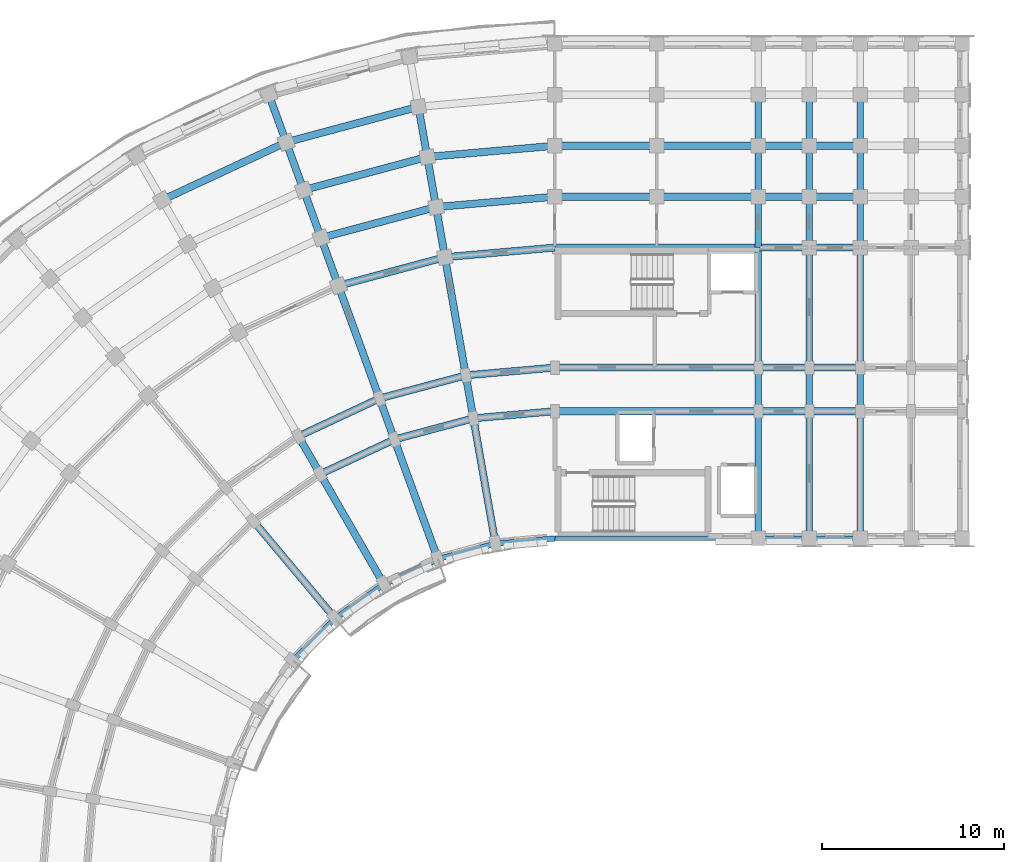
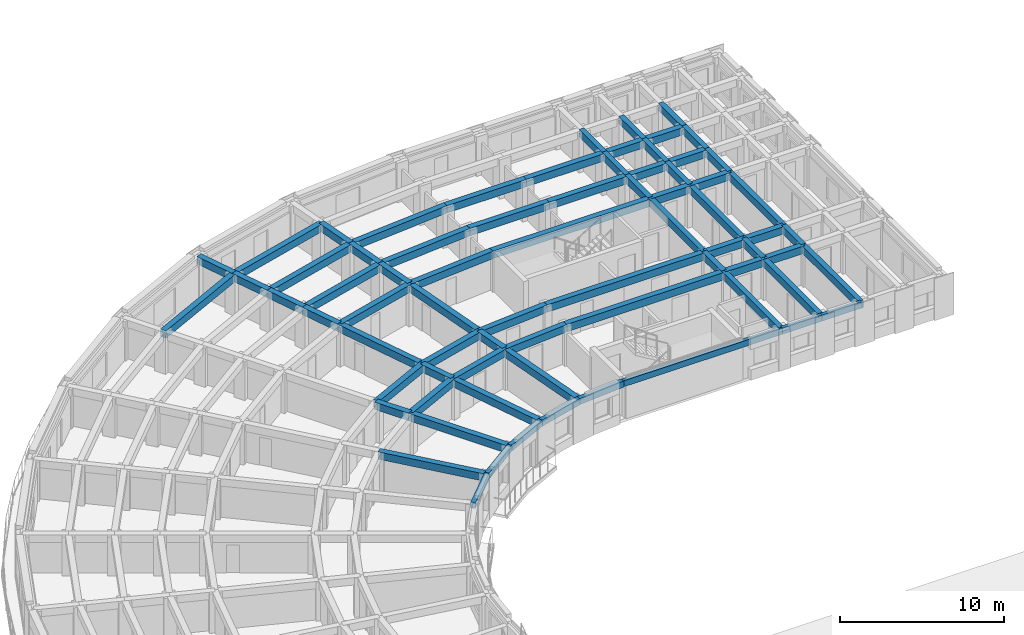
# One storey, part 19 of 76: 73 beams.
"""IFC4 building model written with IfcOpenShell, lengths in metres."""

from ifc_helpers import new_model, si_unit, direction, frame, origin, origin_2d, place, context, subcontext, project, spatial, rectangle, extrude, material, material_profile, profile_set, type_object, element, save


model = new_model("IFC4")

# Units and contexts
model_context = context("Model", 3, precision=1e-05, world=origin(), true_north=direction((0.0, 1.0)))
body_context = subcontext(model_context, "Body", "Model", "MODEL_VIEW")
ifc_project = project(units=[si_unit("LENGTHUNIT", "METRE"), si_unit("AREAUNIT", "SQUARE_METRE"), si_unit("VOLUMEUNIT", "CUBIC_METRE"), si_unit("PLANEANGLEUNIT", "RADIAN"), si_unit("MASSUNIT", "GRAM", prefix="KILO")], contexts=[model_context])

# Site, building, storey
site_placement = place(None, origin())
site = spatial("IfcSite", under=ifc_project, at=site_placement, CompositionType="ELEMENT")
building_placement = place(site_placement, origin())
building = spatial("IfcBuilding", under=site, at=building_placement, Name="Kiranvali Square Residences", CompositionType="ELEMENT")
storey_placement = place(building_placement, frame((0.0, 0.0, 8.699951171875)))
storey = spatial("IfcBuildingStorey", under=building, at=storey_placement, Name="L02", CompositionType="ELEMENT", Elevation=8.699951171875)

# Beams
ifc_material_1 = material(Name="Concrete M40 (40 MPa)", Category="concrete")
ifc_material_profile_1 = material_profile(ifc_material_1, rectangle(XDim=0.35009765625, YDim=0.550048828125, at=origin_2d()), Name="RC 350x550")
ifc_profile_set_1 = profile_set([ifc_material_profile_1], Name="Concrete M40 (40 MPa)")
beam_type_1 = type_object("IfcBeamType", Name="BM-M40-350x550", PredefinedType="BEAM", material=ifc_profile_set_1)
beam_1_placement = place(storey_placement, frame((59.39990234375, 106.60009765625, 2.655029296875), z_axis=(0.0, 1.0, 0.0), x_axis=(-1.0, 0.0, 0.0)))
element("IfcBeam", 1, at=beam_1_placement, inside=storey, type_object=beam_type_1, Name="L02 beam BM-A-L02-A1T1-01", PredefinedType="BEAM", context=body_context, shape_type="SweptSolid", body=[
    extrude(rectangle(XDim=0.35009765625, YDim=0.550048828125, at=origin_2d()), origin(), (0.0, 0.0, 1.0), 7.0),
])
beam_2_placement = place(storey_placement, frame((59.39990234375, 113.60009765625, 2.655029296875), z_axis=(0.0, 1.0, 0.0), x_axis=(-1.0, 0.0, 0.0)))
element("IfcBeam", 2, at=beam_2_placement, inside=storey, type_object=beam_type_1, Name="L02 beam BM-A-L02-A1T1-12", PredefinedType="BEAM", context=body_context, shape_type="SweptSolid", body=[
    extrude(rectangle(XDim=0.35009765625, YDim=0.550048828125, at=origin_2d()), origin(), (0.0, 0.0, 1.0), 2.39990234375),
])
beam_3_placement = place(storey_placement, frame((59.39990234375, 116.0, 2.655029296875), z_axis=(0.0, 1.0, 0.0), x_axis=(-1.0, 0.0, 0.0)))
element("IfcBeam", 3, at=beam_3_placement, inside=storey, type_object=beam_type_1, Name="L02 beam BM-A-L02-A1T1-23", PredefinedType="BEAM", context=body_context, shape_type="SweptSolid", body=[
    extrude(rectangle(XDim=0.35009765625, YDim=0.550048828125, at=origin_2d()), origin(), (0.0, 0.0, 1.0), 6.60009765625),
])
beam_4_placement = place(storey_placement, frame((59.39990234375, 122.60009765625, 2.655029296875), z_axis=(0.0, 1.0, 0.0), x_axis=(-1.0, 0.0, 0.0)))
element("IfcBeam", 4, at=beam_4_placement, inside=storey, type_object=beam_type_1, Name="L02 beam BM-A-L02-A1T1-34", PredefinedType="BEAM", context=body_context, shape_type="SweptSolid", body=[
    extrude(rectangle(XDim=0.35009765625, YDim=0.550048828125, at=origin_2d()), origin(), (0.0, 0.0, 1.0), 2.7998046875),
])
for number, where, z_axis, x_axis, name in (
    (5, (59.39990234375, 125.39990234375, 2.655029296875), (0.0, 1.0, 0.0), (-1.0, 0.0, 0.0), "L02 beam BM-A-L02-A1T1-45"),
    (6, (59.39990234375, 128.199951171875, 2.655029296875), (0.0, 1.0, 0.0), (-1.0, 0.0, 0.0), "L02 beam BM-A-L02-A1T1-56"),
):
    element("IfcBeam", number, at=place(storey_placement, frame(where, z_axis=z_axis, x_axis=x_axis)), inside=storey, type_object=beam_type_1, Name=name, PredefinedType="BEAM", context=body_context, shape_type="SweptSolid", body=[
        extrude(rectangle(XDim=0.35009765625, YDim=0.550048828125, at=origin_2d()), origin(), (0.0, 0.0, 1.0), 2.800048828125),
    ])
beam_5_placement = place(storey_placement, frame((62.199951171875, 106.60009765625, 2.655029296875), z_axis=(0.0, 1.0, 0.0), x_axis=(-1.0, 0.0, 0.0)))
element("IfcBeam", 7, at=beam_5_placement, inside=storey, type_object=beam_type_1, Name="L02 beam BM-A-L02-A1T2-01", PredefinedType="BEAM", context=body_context, shape_type="SweptSolid", body=[
    extrude(rectangle(XDim=0.35009765625, YDim=0.550048828125, at=origin_2d()), origin(), (0.0, 0.0, 1.0), 7.0),
])
beam_6_placement = place(storey_placement, frame((62.199951171875, 113.60009765625, 2.655029296875), z_axis=(0.0, 1.0, 0.0), x_axis=(-1.0, 0.0, 0.0)))
element("IfcBeam", 8, at=beam_6_placement, inside=storey, type_object=beam_type_1, Name="L02 beam BM-A-L02-A1T2-12", PredefinedType="BEAM", context=body_context, shape_type="SweptSolid", body=[
    extrude(rectangle(XDim=0.35009765625, YDim=0.550048828125, at=origin_2d()), origin(), (0.0, 0.0, 1.0), 2.39990234375),
])
beam_7_placement = place(storey_placement, frame((62.199951171875, 116.0, 2.655029296875), z_axis=(0.0, 1.0, 0.0), x_axis=(-1.0, 0.0, 0.0)))
element("IfcBeam", 9, at=beam_7_placement, inside=storey, type_object=beam_type_1, Name="L02 beam BM-A-L02-A1T2-23", PredefinedType="BEAM", context=body_context, shape_type="SweptSolid", body=[
    extrude(rectangle(XDim=0.35009765625, YDim=0.550048828125, at=origin_2d()), origin(), (0.0, 0.0, 1.0), 6.60009765625),
])
beam_8_placement = place(storey_placement, frame((62.199951171875, 122.60009765625, 2.655029296875), z_axis=(0.0, 1.0, 0.0), x_axis=(-1.0, 0.0, 0.0)))
element("IfcBeam", 10, at=beam_8_placement, inside=storey, type_object=beam_type_1, Name="L02 beam BM-A-L02-A1T2-34", PredefinedType="BEAM", context=body_context, shape_type="SweptSolid", body=[
    extrude(rectangle(XDim=0.35009765625, YDim=0.550048828125, at=origin_2d()), origin(), (0.0, 0.0, 1.0), 2.7998046875),
])
for number, where, z_axis, x_axis, name in (
    (11, (62.199951171875, 125.39990234375, 2.655029296875), (0.0, 1.0, 0.0), (-1.0, 0.0, 0.0), "L02 beam BM-A-L02-A1T2-45"),
    (12, (62.199951171875, 128.199951171875, 2.655029296875), (0.0, 1.0, 0.0), (-1.0, 0.0, 0.0), "L02 beam BM-A-L02-A1T2-56"),
):
    element("IfcBeam", number, at=place(storey_placement, frame(where, z_axis=z_axis, x_axis=x_axis)), inside=storey, type_object=beam_type_1, Name=name, PredefinedType="BEAM", context=body_context, shape_type="SweptSolid", body=[
        extrude(rectangle(XDim=0.35009765625, YDim=0.550048828125, at=origin_2d()), origin(), (0.0, 0.0, 1.0), 2.800048828125),
    ])
beam_9_placement = place(storey_placement, frame((65.0, 106.60009765625, 2.655029296875), z_axis=(0.0, 1.0, 0.0), x_axis=(-1.0, 0.0, 0.0)))
element("IfcBeam", 13, at=beam_9_placement, inside=storey, type_object=beam_type_1, Name="L02 beam BM-A-L02-A1T3-01", PredefinedType="BEAM", context=body_context, shape_type="SweptSolid", body=[
    extrude(rectangle(XDim=0.35009765625, YDim=0.550048828125, at=origin_2d()), origin(), (0.0, 0.0, 1.0), 7.0),
])
beam_10_placement = place(storey_placement, frame((65.0, 113.60009765625, 2.655029296875), z_axis=(0.0, 1.0, 0.0), x_axis=(-1.0, 0.0, 0.0)))
element("IfcBeam", 14, at=beam_10_placement, inside=storey, type_object=beam_type_1, Name="L02 beam BM-A-L02-A1T3-12", PredefinedType="BEAM", context=body_context, shape_type="SweptSolid", body=[
    extrude(rectangle(XDim=0.35009765625, YDim=0.550048828125, at=origin_2d()), origin(), (0.0, 0.0, 1.0), 2.39990234375),
])
beam_11_placement = place(storey_placement, frame((65.0, 116.0, 2.655029296875), z_axis=(0.0, 1.0, 0.0), x_axis=(-1.0, 0.0, 0.0)))
element("IfcBeam", 15, at=beam_11_placement, inside=storey, type_object=beam_type_1, Name="L02 beam BM-A-L02-A1T3-23", PredefinedType="BEAM", context=body_context, shape_type="SweptSolid", body=[
    extrude(rectangle(XDim=0.35009765625, YDim=0.550048828125, at=origin_2d()), origin(), (0.0, 0.0, 1.0), 6.60009765625),
])
beam_12_placement = place(storey_placement, frame((65.0, 122.60009765625, 2.655029296875), z_axis=(0.0, 1.0, 0.0), x_axis=(-1.0, 0.0, 0.0)))
element("IfcBeam", 16, at=beam_12_placement, inside=storey, type_object=beam_type_1, Name="L02 beam BM-A-L02-A1T3-34", PredefinedType="BEAM", context=body_context, shape_type="SweptSolid", body=[
    extrude(rectangle(XDim=0.35009765625, YDim=0.550048828125, at=origin_2d()), origin(), (0.0, 0.0, 1.0), 2.7998046875),
])
for number, where, z_axis, x_axis, name in (
    (17, (65.0, 125.39990234375, 2.655029296875), (0.0, 1.0, 0.0), (-1.0, 0.0, 0.0), "L02 beam BM-A-L02-A1T3-45"),
    (18, (65.0, 128.199951171875, 2.655029296875), (0.0, 1.0, 0.0), (-1.0, 0.0, 0.0), "L02 beam BM-A-L02-A1T3-56"),
):
    element("IfcBeam", number, at=place(storey_placement, frame(where, z_axis=z_axis, x_axis=x_axis)), inside=storey, type_object=beam_type_1, Name=name, PredefinedType="BEAM", context=body_context, shape_type="SweptSolid", body=[
        extrude(rectangle(XDim=0.35009765625, YDim=0.550048828125, at=origin_2d()), origin(), (0.0, 0.0, 1.0), 2.800048828125),
    ])
ifc_material_2 = material(Name="Concrete M45 (45 MPa)", Category="concrete")
ifc_material_profile_2 = material_profile(ifc_material_2, rectangle(XDim=0.39990234375, YDim=0.550048828125, at=origin_2d()), Name="RC 400x550")
ifc_profile_set_2 = profile_set([ifc_material_profile_2], Name="Concrete M45 (45 MPa)")
beam_type_2 = type_object("IfcBeamType", Name="BM-M45-400x550", PredefinedType="BEAM", material=ifc_profile_set_2)
beam_13_placement = place(storey_placement, frame((48.199951171875, 113.60009765625, 2.655029296875), z_axis=(-0.996191949488, -0.087187153726, 0.0), x_axis=(0.087187153726, -0.996191949488, 0.0)))
element("IfcBeam", 19, at=beam_13_placement, inside=storey, type_object=beam_type_2, Name="L02 beam BM-A-L02-C00-R1", PredefinedType="BEAM", context=body_context, shape_type="SweptSolid", body=[
    extrude(rectangle(XDim=0.39990234375, YDim=0.550048828125, at=origin_2d()), origin(), (0.0, 0.0, 1.0), 4.4970703125),
])
beam_14_placement = place(storey_placement, frame((48.199951171875, 116.0, 2.655029296875), z_axis=(-0.996193663584, -0.087167566415, 0.0), x_axis=(0.087167566415, -0.996193663584, 0.0)))
element("IfcBeam", 20, at=beam_14_placement, inside=storey, type_object=beam_type_2, Name="L02 beam BM-A-L02-C00-R2", PredefinedType="BEAM", context=body_context, shape_type="SweptSolid", body=[
    extrude(rectangle(XDim=0.39990234375, YDim=0.550048828125, at=origin_2d()), origin(), (0.0, 0.0, 1.0), 4.91552734375),
])
beam_15_placement = place(storey_placement, frame((48.199951171875, 122.60009765625, 2.655029296875), z_axis=(-0.996193018494, -0.087174938512, 0.0), x_axis=(0.087174938512, -0.996193018494, 0.0)))
element("IfcBeam", 21, at=beam_15_placement, inside=storey, type_object=beam_type_2, Name="L02 beam BM-A-L02-C00-R3", PredefinedType="BEAM", context=body_context, shape_type="SweptSolid", body=[
    extrude(rectangle(XDim=0.39990234375, YDim=0.550048828125, at=origin_2d()), origin(), (0.0, 0.0, 1.0), 6.066162109375),
])
beam_16_placement = place(storey_placement, frame((48.199951171875, 125.39990234375, 2.655029296875), z_axis=(-0.996196991902, -0.0871295204, 0.0), x_axis=(0.0871295204, -0.996196991902, 0.0)))
element("IfcBeam", 22, at=beam_16_placement, inside=storey, type_object=beam_type_2, Name="L02 beam BM-A-L02-C00-R4", PredefinedType="BEAM", context=body_context, shape_type="SweptSolid", body=[
    extrude(rectangle(XDim=0.39990234375, YDim=0.550048828125, at=origin_2d()), origin(), (0.0, 0.0, 1.0), 6.553955078125),
])
beam_17_placement = place(storey_placement, frame((48.199951171875, 128.199951171875, 2.655029296875), z_axis=(-0.996194658198, -0.087156198737, 0.0), x_axis=(0.087156198737, -0.996194658198, 0.0)))
element("IfcBeam", 23, at=beam_17_placement, inside=storey, type_object=beam_type_2, Name="L02 beam BM-A-L02-C00-R5", PredefinedType="BEAM", context=body_context, shape_type="SweptSolid", body=[
    extrude(rectangle(XDim=0.39990234375, YDim=0.550048828125, at=origin_2d()), origin(), (0.0, 0.0, 1.0), 7.042236328125),
])
beam_18_placement = place(storey_placement, frame((43.719970703125, 113.2080078125, 2.655029296875), z_axis=(-0.965934240054, -0.258787642463, 0.0), x_axis=(0.258787642463, -0.965934240054, 0.0)))
element("IfcBeam", 24, at=beam_18_placement, inside=storey, type_object=beam_type_2, Name="L02 beam BM-A-L02-C01-R1", PredefinedType="BEAM", context=body_context, shape_type="SweptSolid", body=[
    extrude(rectangle(XDim=0.39990234375, YDim=0.550048828125, at=origin_2d()), origin(), (0.0, 0.0, 1.0), 4.497314453125),
])
beam_19_placement = place(storey_placement, frame((43.30322265625, 115.571533203125, 2.655029296875), z_axis=(-0.965930095386, -0.258803112091, 0.0), x_axis=(0.258803112091, -0.965930095386, 0.0)))
element("IfcBeam", 25, at=beam_19_placement, inside=storey, type_object=beam_type_2, Name="L02 beam BM-A-L02-C01-R2", PredefinedType="BEAM", context=body_context, shape_type="SweptSolid", body=[
    extrude(rectangle(XDim=0.39990234375, YDim=0.550048828125, at=origin_2d()), origin(), (0.0, 0.0, 1.0), 4.915771484375),
])
beam_20_placement = place(storey_placement, frame((42.156982421875, 122.0712890625, 2.655029296875), z_axis=(-0.965923618901, -0.258827283048, 0.0), x_axis=(0.258827283048, -0.965923618901, 0.0)))
element("IfcBeam", 26, at=beam_20_placement, inside=storey, type_object=beam_type_2, Name="L02 beam BM-A-L02-C01-R3", PredefinedType="BEAM", context=body_context, shape_type="SweptSolid", body=[
    extrude(rectangle(XDim=0.39990234375, YDim=0.550048828125, at=origin_2d()), origin(), (0.0, 0.0, 1.0), 6.066162109375),
])
beam_21_placement = place(storey_placement, frame((41.6708984375, 124.828857421875, 2.655029296875), z_axis=(-0.965918287583, -0.258847178297, 0.0), x_axis=(0.258847178297, -0.965918287583, 0.0)))
element("IfcBeam", 27, at=beam_21_placement, inside=storey, type_object=beam_type_2, Name="L02 beam BM-A-L02-C01-R4", PredefinedType="BEAM", context=body_context, shape_type="SweptSolid", body=[
    extrude(rectangle(XDim=0.39990234375, YDim=0.550048828125, at=origin_2d()), origin(), (0.0, 0.0, 1.0), 6.55419921875),
])
beam_22_placement = place(storey_placement, frame((41.1845703125, 127.586181640625, 2.655029296875), z_axis=(-0.965931029817, -0.258799624492, 0.0), x_axis=(0.258799624492, -0.965931029817, 0.0)))
element("IfcBeam", 28, at=beam_22_placement, inside=storey, type_object=beam_type_2, Name="L02 beam BM-A-L02-C01-R5", PredefinedType="BEAM", context=body_context, shape_type="SweptSolid", body=[
    extrude(rectangle(XDim=0.39990234375, YDim=0.550048828125, at=origin_2d()), origin(), (0.0, 0.0, 1.0), 7.042236328125),
])
beam_23_placement = place(storey_placement, frame((40.698486328125, 130.34375, 2.655029296875), z_axis=(-0.965925909693, -0.258818733833, 0.0), x_axis=(0.258818733833, -0.965925909693, 0.0)))
element("IfcBeam", 29, at=beam_23_placement, inside=storey, type_object=beam_type_2, Name="L02 beam BM-A-L02-C01-R6", PredefinedType="BEAM", context=body_context, shape_type="SweptSolid", body=[
    extrude(rectangle(XDim=0.39990234375, YDim=0.550048828125, at=origin_2d()), origin(), (0.0, 0.0, 1.0), 7.5302734375),
])
beam_24_placement = place(storey_placement, frame((39.3759765625, 112.044189453125, 2.655029296875), z_axis=(-0.906307919131, -0.422617978463, 0.0), x_axis=(0.422617978463, -0.906307919131, 0.0)))
element("IfcBeam", 30, at=beam_24_placement, inside=storey, type_object=beam_type_2, Name="L02 beam BM-A-L02-C02-R1", PredefinedType="BEAM", context=body_context, shape_type="SweptSolid", body=[
    extrude(rectangle(XDim=0.39990234375, YDim=0.550048828125, at=origin_2d()), origin(), (0.0, 0.0, 1.0), 4.497314453125),
])
beam_25_placement = place(storey_placement, frame((38.554931640625, 114.29931640625, 2.655029296875), z_axis=(-0.906302381024, -0.422629854778, 0.0), x_axis=(0.422629854778, -0.906302381024, 0.0)))
element("IfcBeam", 31, at=beam_25_placement, inside=storey, type_object=beam_type_2, Name="L02 beam BM-A-L02-C02-R2", PredefinedType="BEAM", context=body_context, shape_type="SweptSolid", body=[
    extrude(rectangle(XDim=0.39990234375, YDim=0.550048828125, at=origin_2d()), origin(), (0.0, 0.0, 1.0), 4.915283203125),
])
beam_26_placement = place(storey_placement, frame((33.4248046875, 128.394775390625, 2.655029296875), z_axis=(-0.90630982703, -0.422613886933, 0.0), x_axis=(0.422613886933, -0.90630982703, 0.0)))
element("IfcBeam", 32, at=beam_26_placement, inside=storey, type_object=beam_type_2, Name="L02 beam BM-A-L02-C02-R6", PredefinedType="BEAM", context=body_context, shape_type="SweptSolid", body=[
    extrude(rectangle(XDim=0.39990234375, YDim=0.550048828125, at=origin_2d()), origin(), (0.0, 0.0, 1.0), 7.5302734375),
])
beam_27_placement = place(storey_placement, frame((44.935302734375, 106.314453125, 2.655029296875), z_axis=(-0.173622177865, 0.984812337125, 0.0), x_axis=(-0.984812337125, -0.173622177865, 0.0)))
element("IfcBeam", 33, at=beam_27_placement, inside=storey, type_object=beam_type_2, Name="L02 beam BM-A-L02-RAD01-01", PredefinedType="BEAM", context=body_context, shape_type="SweptSolid", body=[
    extrude(rectangle(XDim=0.39990234375, YDim=0.550048828125, at=origin_2d()), origin(), (0.0, 0.0, 1.0), 6.999755859375),
])
beam_28_placement = place(storey_placement, frame((43.719970703125, 113.2080078125, 2.655029296875), z_axis=(-0.173646056486, 0.984808127031, 0.0), x_axis=(-0.984808127031, -0.173646056486, 0.0)))
element("IfcBeam", 34, at=beam_28_placement, inside=storey, type_object=beam_type_2, Name="L02 beam BM-A-L02-RAD01-12", PredefinedType="BEAM", context=body_context, shape_type="SweptSolid", body=[
    extrude(rectangle(XDim=0.39990234375, YDim=0.550048828125, at=origin_2d()), origin(), (0.0, 0.0, 1.0), 2.39990234375),
])
beam_29_placement = place(storey_placement, frame((43.30322265625, 115.571533203125, 2.655029296875), z_axis=(-0.173671381499, 0.984803661269, 0.0), x_axis=(-0.984803661269, -0.173671381499, 0.0)))
element("IfcBeam", 35, at=beam_29_placement, inside=storey, type_object=beam_type_2, Name="L02 beam BM-A-L02-RAD01-23", PredefinedType="BEAM", context=body_context, shape_type="SweptSolid", body=[
    extrude(rectangle(XDim=0.39990234375, YDim=0.550048828125, at=origin_2d()), origin(), (0.0, 0.0, 1.0), 6.60009765625),
])
beam_30_placement = place(storey_placement, frame((42.156982421875, 122.0712890625, 2.655029296875), z_axis=(-0.173596320392, 0.984816895441, 0.0), x_axis=(-0.984816895441, -0.173596320392, 0.0)))
element("IfcBeam", 36, at=beam_30_placement, inside=storey, type_object=beam_type_2, Name="L02 beam BM-A-L02-RAD01-34", PredefinedType="BEAM", context=body_context, shape_type="SweptSolid", body=[
    extrude(rectangle(XDim=0.39990234375, YDim=0.550048828125, at=origin_2d()), origin(), (0.0, 0.0, 1.0), 2.800048828125),
])
beam_31_placement = place(storey_placement, frame((41.6708984375, 124.828857421875, 2.655029296875), z_axis=(-0.173695795656, 0.984799355489, 0.0), x_axis=(-0.984799355489, -0.173695795656, 0.0)))
element("IfcBeam", 37, at=beam_31_placement, inside=storey, type_object=beam_type_2, Name="L02 beam BM-A-L02-RAD01-45", PredefinedType="BEAM", context=body_context, shape_type="SweptSolid", body=[
    extrude(rectangle(XDim=0.39990234375, YDim=0.550048828125, at=origin_2d()), origin(), (0.0, 0.0, 1.0), 2.7998046875),
])
beam_32_placement = place(storey_placement, frame((41.1845703125, 127.586181640625, 2.655029296875), z_axis=(-0.173596320392, 0.984816895441, 0.0), x_axis=(-0.984816895441, -0.173596320392, 0.0)))
element("IfcBeam", 38, at=beam_32_placement, inside=storey, type_object=beam_type_2, Name="L02 beam BM-A-L02-RAD01-56", PredefinedType="BEAM", context=body_context, shape_type="SweptSolid", body=[
    extrude(rectangle(XDim=0.39990234375, YDim=0.550048828125, at=origin_2d()), origin(), (0.0, 0.0, 1.0), 2.800048828125),
])
beam_33_placement = place(storey_placement, frame((41.77001953125, 105.46630859375, 2.655029296875), z_axis=(-0.342006283793, 0.939697665127, 0.0), x_axis=(-0.939697665127, -0.342006283793, 0.0)))
element("IfcBeam", 39, at=beam_33_placement, inside=storey, type_object=beam_type_2, Name="L02 beam BM-A-L02-RAD02-01", PredefinedType="BEAM", context=body_context, shape_type="SweptSolid", body=[
    extrude(rectangle(XDim=0.39990234375, YDim=0.550048828125, at=origin_2d()), origin(), (0.0, 0.0, 1.0), 7.0),
])
beam_34_placement = place(storey_placement, frame((39.3759765625, 112.044189453125, 2.655029296875), z_axis=(-0.342110593602, 0.939659694648, 0.0), x_axis=(-0.939659694648, -0.342110593602, 0.0)))
element("IfcBeam", 40, at=beam_34_placement, inside=storey, type_object=beam_type_2, Name="L02 beam BM-A-L02-RAD02-12", PredefinedType="BEAM", context=body_context, shape_type="SweptSolid", body=[
    extrude(rectangle(XDim=0.39990234375, YDim=0.550048828125, at=origin_2d()), origin(), (0.0, 0.0, 1.0), 2.39990234375),
])
beam_35_placement = place(storey_placement, frame((38.554931640625, 114.29931640625, 2.655029296875), z_axis=(-0.342022238372, 0.939691858249, 0.0), x_axis=(-0.939691858249, -0.342022238372, 0.0)))
element("IfcBeam", 41, at=beam_35_placement, inside=storey, type_object=beam_type_2, Name="L02 beam BM-A-L02-RAD02-23", PredefinedType="BEAM", context=body_context, shape_type="SweptSolid", body=[
    extrude(rectangle(XDim=0.39990234375, YDim=0.550048828125, at=origin_2d()), origin(), (0.0, 0.0, 1.0), 6.599853515625),
])
beam_36_placement = place(storey_placement, frame((36.297607421875, 120.501220703125, 2.655029296875), z_axis=(-0.341981089711, 0.93970683422, 0.0), x_axis=(-0.93970683422, -0.341981089711, 0.0)))
element("IfcBeam", 42, at=beam_36_placement, inside=storey, type_object=beam_type_2, Name="L02 beam BM-A-L02-RAD02-34", PredefinedType="BEAM", context=body_context, shape_type="SweptSolid", body=[
    extrude(rectangle(XDim=0.39990234375, YDim=0.550048828125, at=origin_2d()), origin(), (0.0, 0.0, 1.0), 2.7998046875),
])
beam_37_placement = place(storey_placement, frame((35.340087890625, 123.13232421875, 2.655029296875), z_axis=(-0.342030060398, 0.939689011208, 0.0), x_axis=(-0.939689011208, -0.342030060398, 0.0)))
element("IfcBeam", 43, at=beam_37_placement, inside=storey, type_object=beam_type_2, Name="L02 beam BM-A-L02-RAD02-45", PredefinedType="BEAM", context=body_context, shape_type="SweptSolid", body=[
    extrude(rectangle(XDim=0.39990234375, YDim=0.550048828125, at=origin_2d()), origin(), (0.0, 0.0, 1.0), 2.80029296875),
])
beam_38_placement = place(storey_placement, frame((34.38232421875, 125.763671875, 2.655029296875), z_axis=(-0.341981089711, 0.93970683422, 0.0), x_axis=(-0.93970683422, -0.341981089711, 0.0)))
element("IfcBeam", 44, at=beam_38_placement, inside=storey, type_object=beam_type_2, Name="L02 beam BM-A-L02-RAD02-56", PredefinedType="BEAM", context=body_context, shape_type="SweptSolid", body=[
    extrude(rectangle(XDim=0.39990234375, YDim=0.550048828125, at=origin_2d()), origin(), (0.0, 0.0, 1.0), 2.7998046875),
])
beam_39_placement = place(storey_placement, frame((33.4248046875, 128.394775390625, 2.655029296875), z_axis=(-0.342058084236, 0.939678810556, 0.0), x_axis=(-0.939678810556, -0.342058084236, 0.0)))
element("IfcBeam", 45, at=beam_39_placement, inside=storey, type_object=beam_type_2, Name="L02 beam BM-A-L02-RAD02-67", PredefinedType="BEAM", context=body_context, shape_type="SweptSolid", body=[
    extrude(rectangle(XDim=0.39990234375, YDim=0.550048828125, at=origin_2d()), origin(), (0.0, 0.0, 1.0), 2.800048828125),
])
beam_40_placement = place(storey_placement, frame((38.800048828125, 104.081298828125, 2.655029296875), z_axis=(-0.499995173006, 0.866028190633, 0.0), x_axis=(-0.866028190633, -0.499995173006, 0.0)))
element("IfcBeam", 46, at=beam_40_placement, inside=storey, type_object=beam_type_2, Name="L02 beam BM-A-L02-RAD03-01", PredefinedType="BEAM", context=body_context, shape_type="SweptSolid", body=[
    extrude(rectangle(XDim=0.39990234375, YDim=0.550048828125, at=origin_2d()), origin(), (0.0, 0.0, 1.0), 7.0),
])
beam_41_placement = place(storey_placement, frame((35.300048828125, 110.1435546875, 2.655029296875), z_axis=(-0.500001309137, 0.866024647952, 0.0), x_axis=(-0.866024647952, -0.500001309137, 0.0)))
element("IfcBeam", 47, at=beam_41_placement, inside=storey, type_object=beam_type_2, Name="L02 beam BM-A-L02-RAD03-12", PredefinedType="BEAM", context=body_context, shape_type="SweptSolid", body=[
    extrude(rectangle(XDim=0.39990234375, YDim=0.550048828125, at=origin_2d()), origin(), (0.0, 0.0, 1.0), 2.39990234375),
])
beam_42_placement = place(storey_placement, frame((36.115478515625, 102.20166015625, 2.655029296875), z_axis=(-0.642787931032, 0.766044173478, 0.0), x_axis=(-0.766044173478, -0.642787931032, 0.0)))
element("IfcBeam", 48, at=beam_42_placement, inside=storey, type_object=beam_type_2, Name="L02 beam BM-A-L02-RAD04-01", PredefinedType="BEAM", context=body_context, shape_type="SweptSolid", body=[
    extrude(rectangle(XDim=0.39990234375, YDim=0.550048828125, at=origin_2d()), origin(), (0.0, 0.0, 1.0), 7.0),
])
beam_43_placement = place(storey_placement, frame((48.199951171875, 113.60009765625, 2.655029296875), z_axis=(1.0, 0.0, 0.0), x_axis=(0.0, 1.0, 0.0)))
element("IfcBeam", 49, at=beam_43_placement, inside=storey, type_object=beam_type_2, Name="L02 beam BM-A-L02-A1U0-R1", PredefinedType="BEAM", context=body_context, shape_type="SweptSolid", body=[
    extrude(rectangle(XDim=0.39990234375, YDim=0.550048828125, at=origin_2d()), origin(), (0.0, 0.0, 1.0), 11.199951171875),
])
for number, where, z_axis, x_axis, name in (
    (50, (59.39990234375, 113.60009765625, 2.655029296875), (1.0, 0.0, 0.0), (0.0, 1.0, 0.0), "L02 beam BM-A-L02-A1U1-R1"),
    (51, (62.199951171875, 113.60009765625, 2.655029296875), (1.0, 0.0, 0.0), (0.0, 1.0, 0.0), "L02 beam BM-A-L02-A1U2-R1"),
):
    element("IfcBeam", number, at=place(storey_placement, frame(where, z_axis=z_axis, x_axis=x_axis)), inside=storey, type_object=beam_type_2, Name=name, PredefinedType="BEAM", context=body_context, shape_type="SweptSolid", body=[
        extrude(rectangle(XDim=0.39990234375, YDim=0.550048828125, at=origin_2d()), origin(), (0.0, 0.0, 1.0), 2.800048828125),
    ])
beam_44_placement = place(storey_placement, frame((48.199951171875, 116.0, 2.655029296875), z_axis=(1.0, 0.0, 0.0), x_axis=(0.0, 1.0, 0.0)))
element("IfcBeam", 52, at=beam_44_placement, inside=storey, type_object=beam_type_2, Name="L02 beam BM-A-L02-A1U0-R2", PredefinedType="BEAM", context=body_context, shape_type="SweptSolid", body=[
    extrude(rectangle(XDim=0.39990234375, YDim=0.550048828125, at=origin_2d()), origin(), (0.0, 0.0, 1.0), 11.199951171875),
])
for number, where, z_axis, x_axis, name in (
    (53, (59.39990234375, 116.0, 2.655029296875), (1.0, 0.0, 0.0), (0.0, 1.0, 0.0), "L02 beam BM-A-L02-A1U1-R2"),
    (54, (62.199951171875, 116.0, 2.655029296875), (1.0, 0.0, 0.0), (0.0, 1.0, 0.0), "L02 beam BM-A-L02-A1U2-R2"),
):
    element("IfcBeam", number, at=place(storey_placement, frame(where, z_axis=z_axis, x_axis=x_axis)), inside=storey, type_object=beam_type_2, Name=name, PredefinedType="BEAM", context=body_context, shape_type="SweptSolid", body=[
        extrude(rectangle(XDim=0.39990234375, YDim=0.550048828125, at=origin_2d()), origin(), (0.0, 0.0, 1.0), 2.800048828125),
    ])
beam_45_placement = place(storey_placement, frame((48.199951171875, 122.60009765625, 2.655029296875), z_axis=(1.0, 0.0, 0.0), x_axis=(0.0, 1.0, 0.0)))
element("IfcBeam", 55, at=beam_45_placement, inside=storey, type_object=beam_type_2, Name="L02 beam BM-A-L02-A1U0-R3", PredefinedType="BEAM", context=body_context, shape_type="SweptSolid", body=[
    extrude(rectangle(XDim=0.39990234375, YDim=0.550048828125, at=origin_2d()), origin(), (0.0, 0.0, 1.0), 11.199951171875),
])
for number, where, z_axis, x_axis, name in (
    (56, (59.39990234375, 122.60009765625, 2.655029296875), (1.0, 0.0, 0.0), (0.0, 1.0, 0.0), "L02 beam BM-A-L02-A1U1-R3"),
    (57, (62.199951171875, 122.60009765625, 2.655029296875), (1.0, 0.0, 0.0), (0.0, 1.0, 0.0), "L02 beam BM-A-L02-A1U2-R3"),
):
    element("IfcBeam", number, at=place(storey_placement, frame(where, z_axis=z_axis, x_axis=x_axis)), inside=storey, type_object=beam_type_2, Name=name, PredefinedType="BEAM", context=body_context, shape_type="SweptSolid", body=[
        extrude(rectangle(XDim=0.39990234375, YDim=0.550048828125, at=origin_2d()), origin(), (0.0, 0.0, 1.0), 2.800048828125),
    ])
beam_46_placement = place(storey_placement, frame((48.199951171875, 125.39990234375, 2.655029296875), z_axis=(1.0, 0.0, 0.0), x_axis=(0.0, 1.0, 0.0)))
element("IfcBeam", 58, at=beam_46_placement, inside=storey, type_object=beam_type_2, Name="L02 beam BM-A-L02-A1U0-R4", PredefinedType="BEAM", context=body_context, shape_type="SweptSolid", body=[
    extrude(rectangle(XDim=0.39990234375, YDim=0.550048828125, at=origin_2d()), origin(), (0.0, 0.0, 1.0), 5.60009765625),
])
beam_47_placement = place(storey_placement, frame((53.800048828125, 125.39990234375, 2.655029296875), z_axis=(1.0, 0.0, 0.0), x_axis=(0.0, 1.0, 0.0)))
element("IfcBeam", 59, at=beam_47_placement, inside=storey, type_object=beam_type_2, Name="L02 beam BM-A-L02-A1U1-R4", PredefinedType="BEAM", context=body_context, shape_type="SweptSolid", body=[
    extrude(rectangle(XDim=0.39990234375, YDim=0.550048828125, at=origin_2d()), origin(), (0.0, 0.0, 1.0), 5.599853515625),
])
for number, where, z_axis, x_axis, name in (
    (60, (59.39990234375, 125.39990234375, 2.655029296875), (1.0, 0.0, 0.0), (0.0, 1.0, 0.0), "L02 beam BM-A-L02-A1U2-R4"),
    (61, (62.199951171875, 125.39990234375, 2.655029296875), (1.0, 0.0, 0.0), (0.0, 1.0, 0.0), "L02 beam BM-A-L02-A1U3-R4"),
):
    element("IfcBeam", number, at=place(storey_placement, frame(where, z_axis=z_axis, x_axis=x_axis)), inside=storey, type_object=beam_type_2, Name=name, PredefinedType="BEAM", context=body_context, shape_type="SweptSolid", body=[
        extrude(rectangle(XDim=0.39990234375, YDim=0.550048828125, at=origin_2d()), origin(), (0.0, 0.0, 1.0), 2.800048828125),
    ])
beam_48_placement = place(storey_placement, frame((48.199951171875, 128.199951171875, 2.655029296875), z_axis=(1.0, 0.0, 0.0), x_axis=(0.0, 1.0, 0.0)))
element("IfcBeam", 62, at=beam_48_placement, inside=storey, type_object=beam_type_2, Name="L02 beam BM-A-L02-A1U0-R5", PredefinedType="BEAM", context=body_context, shape_type="SweptSolid", body=[
    extrude(rectangle(XDim=0.39990234375, YDim=0.550048828125, at=origin_2d()), origin(), (0.0, 0.0, 1.0), 5.60009765625),
])
beam_49_placement = place(storey_placement, frame((53.800048828125, 128.199951171875, 2.655029296875), z_axis=(1.0, 0.0, 0.0), x_axis=(0.0, 1.0, 0.0)))
element("IfcBeam", 63, at=beam_49_placement, inside=storey, type_object=beam_type_2, Name="L02 beam BM-A-L02-A1U1-R5", PredefinedType="BEAM", context=body_context, shape_type="SweptSolid", body=[
    extrude(rectangle(XDim=0.39990234375, YDim=0.550048828125, at=origin_2d()), origin(), (0.0, 0.0, 1.0), 5.599853515625),
])
for number, where, z_axis, x_axis, name in (
    (64, (59.39990234375, 128.199951171875, 2.655029296875), (1.0, 0.0, 0.0), (0.0, 1.0, 0.0), "L02 beam BM-A-L02-A1U2-R5"),
    (65, (62.199951171875, 128.199951171875, 2.655029296875), (1.0, 0.0, 0.0), (0.0, 1.0, 0.0), "L02 beam BM-A-L02-A1U3-R5"),
):
    element("IfcBeam", number, at=place(storey_placement, frame(where, z_axis=z_axis, x_axis=x_axis)), inside=storey, type_object=beam_type_2, Name=name, PredefinedType="BEAM", context=body_context, shape_type="SweptSolid", body=[
        extrude(rectangle(XDim=0.39990234375, YDim=0.550048828125, at=origin_2d()), origin(), (0.0, 0.0, 1.0), 2.800048828125),
    ])
ifc_material_profile_3 = material_profile(ifc_material_1, rectangle(XDim=0.25, YDim=0.449951171875, at=origin_2d()), Name="RC 250x450")
ifc_profile_set_3 = profile_set([ifc_material_profile_3], Name="Concrete M40 (40 MPa)")
beam_type_3 = type_object("IfcBeamType", Name="SPN-M40-250x450", PredefinedType="SPANDREL", material=ifc_profile_set_3)
beam_50_placement = place(storey_placement, frame((48.199951171875, 106.60009765625, 2.705078125), z_axis=(1.0, 0.0, 0.0), x_axis=(0.0, 1.0, 0.0)))
element("IfcBeam", 66, at=beam_50_placement, inside=storey, type_object=beam_type_3, Name="L02 beam BM-A-L02-A1U0-R0", PredefinedType="SPANDREL", context=body_context, shape_type="SweptSolid", body=[
    extrude(rectangle(XDim=0.25, YDim=0.449951171875, at=origin_2d()), origin(), (0.0, 0.0, 1.0), 11.199951171875),
])
for number, where, z_axis, x_axis, name in (
    (67, (59.39990234375, 106.60009765625, 2.705078125), (1.0, 0.0, 0.0), (0.0, 1.0, 0.0), "L02 beam BM-A-L02-A1U1-R0"),
    (68, (62.199951171875, 106.60009765625, 2.705078125), (1.0, 0.0, 0.0), (0.0, 1.0, 0.0), "L02 beam BM-A-L02-A1U2-R0"),
):
    element("IfcBeam", number, at=place(storey_placement, frame(where, z_axis=z_axis, x_axis=x_axis)), inside=storey, type_object=beam_type_3, Name=name, PredefinedType="SPANDREL", context=body_context, shape_type="SweptSolid", body=[
        extrude(rectangle(XDim=0.25, YDim=0.449951171875, at=origin_2d()), origin(), (0.0, 0.0, 1.0), 2.800048828125),
    ])
ifc_material_profile_4 = material_profile(ifc_material_1, rectangle(XDim=0.300048828125, YDim=0.449951171875, at=origin_2d()), Name="RC 300x450")
ifc_profile_set_4 = profile_set([ifc_material_profile_4], Name="Concrete M40 (40 MPa)")
beam_type_4 = type_object("IfcBeamType", Name="SPN-M40-300x450", PredefinedType="SPANDREL", material=ifc_profile_set_4)
beam_51_placement = place(storey_placement, frame((48.199951171875, 106.60009765625, 2.705078125), z_axis=(-0.996194040944, -0.087163253657, 0.0), x_axis=(0.087163253657, -0.996194040944, 0.0)))
element("IfcBeam", 69, at=beam_51_placement, inside=storey, type_object=beam_type_4, Name="L02 beam BM-A-L02-C00-R0", PredefinedType="SPANDREL", context=body_context, shape_type="SweptSolid", body=[
    extrude(rectangle(XDim=0.300048828125, YDim=0.449951171875, at=origin_2d()), origin(), (0.0, 0.0, 1.0), 3.277099609375),
])
beam_52_placement = place(storey_placement, frame((44.935302734375, 106.314453125, 2.705078125), z_axis=(-0.965925105099, -0.258821736607, 0.0), x_axis=(0.258821736607, -0.965925105099, 0.0)))
element("IfcBeam", 70, at=beam_52_placement, inside=storey, type_object=beam_type_4, Name="L02 beam BM-A-L02-C01-R0", PredefinedType="SPANDREL", context=body_context, shape_type="SweptSolid", body=[
    extrude(rectangle(XDim=0.300048828125, YDim=0.449951171875, at=origin_2d()), origin(), (0.0, 0.0, 1.0), 3.27685546875),
])
for number, where, z_axis, x_axis, name in (
    (71, (41.77001953125, 105.46630859375, 2.705078125), (-0.90629730464, -0.422640740585, 0.0), (0.422640740585, -0.90629730464, 0.0), "L02 beam BM-A-L02-C02-R0"),
    (72, (38.800048828125, 104.081298828125, 2.705078125), (-0.81916891812, -0.573552337269, 0.0), (0.573552337269, -0.81916891812, 0.0), "L02 beam BM-A-L02-C03-R0"),
):
    element("IfcBeam", number, at=place(storey_placement, frame(where, z_axis=z_axis, x_axis=x_axis)), inside=storey, type_object=beam_type_4, Name=name, PredefinedType="SPANDREL", context=body_context, shape_type="SweptSolid", body=[
        extrude(rectangle(XDim=0.300048828125, YDim=0.449951171875, at=origin_2d()), origin(), (0.0, 0.0, 1.0), 3.277099609375),
    ])
beam_53_placement = place(storey_placement, frame((36.115478515625, 102.20166015625, 2.705078125), z_axis=(-0.707106781187, -0.707106781187, 0.0), x_axis=(0.707106781187, -0.707106781187, 0.0)))
element("IfcBeam", 73, at=beam_53_placement, inside=storey, type_object=beam_type_4, Name="L02 beam BM-A-L02-C04-R0", PredefinedType="SPANDREL", context=body_context, shape_type="SweptSolid", body=[
    extrude(rectangle(XDim=0.300048828125, YDim=0.449951171875, at=origin_2d()), origin(), (0.0, 0.0, 1.0), 3.27685546875),
])

save(model, "model.ifc")
